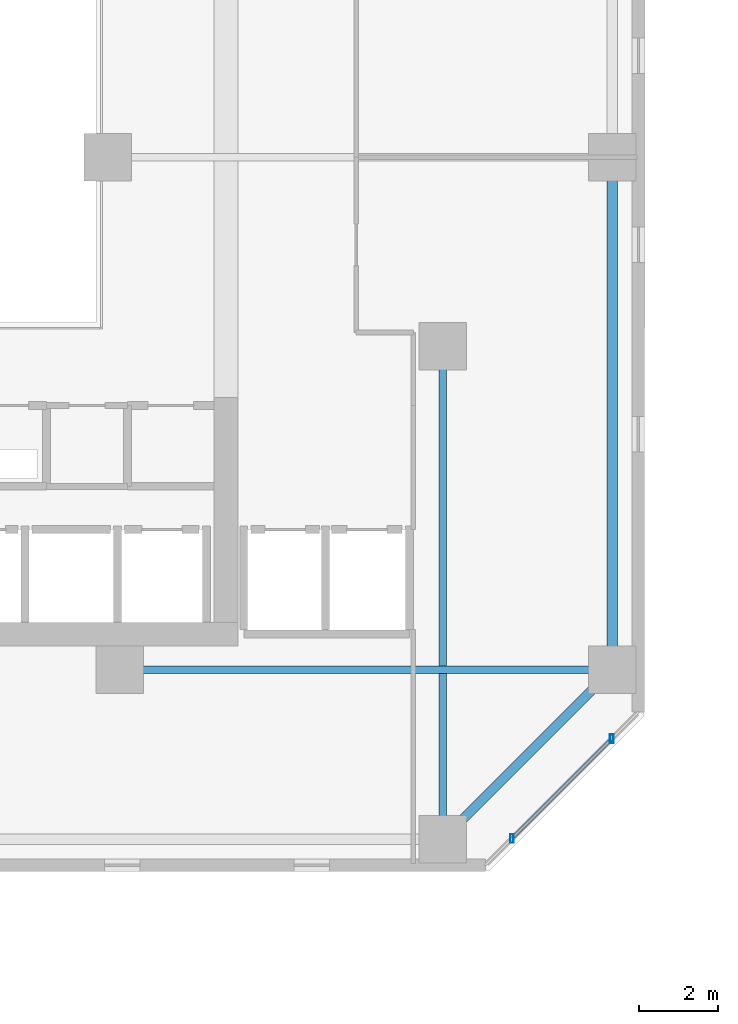
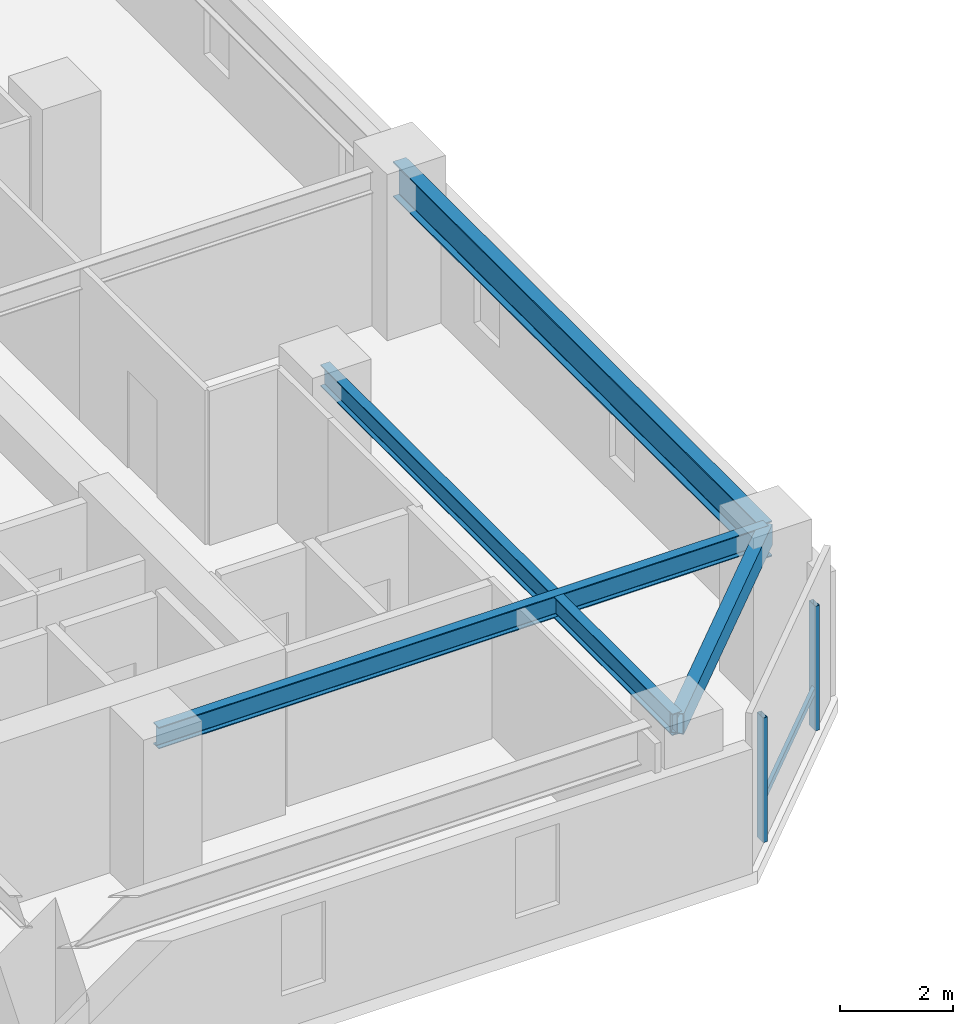
# One storey, part 5 of 33: 4 beams, 3 members, 1 element without a shape of its own.
"""IFC4 building model written with IfcOpenShell, lengths in metres."""

from ifc_helpers import new_model, si_unit, direction, frame, origin, origin_2d, place, context, subcontext, project, spatial, hollow_rectangle, i_section, extrude, material, material_profile, profile_set, type_object, element, aggregate, save


model = new_model("IFC4")

# Units and contexts
model_context = context("Model", 3, precision=1e-05, world=origin(), true_north=direction((0.0, 1.0)))
body_context = subcontext(model_context, "Body", "Model", "MODEL_VIEW")
ifc_project = project(units=[si_unit("LENGTHUNIT", "METRE"), si_unit("AREAUNIT", "SQUARE_METRE"), si_unit("VOLUMEUNIT", "CUBIC_METRE"), si_unit("PLANEANGLEUNIT", "RADIAN"), si_unit("MASSUNIT", "GRAM", prefix="KILO")], contexts=[model_context])

# Site, building, storey
site_placement = place(None, origin())
site = spatial("IfcSite", under=ifc_project, at=site_placement, CompositionType="ELEMENT")
building_placement = place(site_placement, origin())
building = spatial("IfcBuilding", under=site, at=building_placement, Name="Thornwick Lancets Civic Towers", CompositionType="ELEMENT")
storey_placement = place(building_placement, frame((0.0, 0.0, 101.699951171875)))
storey = spatial("IfcBuildingStorey", under=building, at=storey_placement, Name="L26", CompositionType="ELEMENT", Elevation=101.699951171875)

# Beams
ifc_material_1 = material(Name="Steel S355JR", Category="steel")
ifc_material_profile_1 = material_profile(ifc_material_1, i_section(OverallWidth=0.26806640625, OverallDepth=0.769775390625, WebThickness=0.015625, FlangeThickness=0.025390625, FilletRadius=0.0166015625, at=origin_2d()), Name="UKB 762x267x197")
ifc_profile_set_1 = profile_set([ifc_material_profile_1], Name="Steel S355JR")
beam_type_1 = type_object("IfcBeamType", Name="BM_GIRD_762_197", PredefinedType="BEAM", material=ifc_profile_set_1)
beam_1_placement = place(storey_placement, frame((42.800048828125, 14.0, 2.97509765625), z_axis=(0.0, 1.0, 0.0), x_axis=(-1.0, 0.0, 0.0)))
element("IfcBeam", 1, at=beam_1_placement, inside=storey, type_object=beam_type_1, Name="BM-SPINE-L26-A-3-4", PredefinedType="BEAM", context=body_context, shape_type="SweptSolid", body=[
    extrude(i_section(OverallWidth=0.26806640625, OverallDepth=0.769775390625, WebThickness=0.015625, FlangeThickness=0.025390625, FilletRadius=0.0166015625, at=origin_2d()), origin(), (0.0, 0.0, 1.0), 13.0),
])
ifc_material_profile_2 = material_profile(ifc_material_1, i_section(OverallWidth=0.19287109375, OverallDepth=0.46728515625, WebThickness=0.011474609375, FlangeThickness=0.01953125, FilletRadius=0.01025390625, at=origin_2d()), Name="UKB 457x191x98")
ifc_profile_set_2 = profile_set([ifc_material_profile_2], Name="Steel S355JR")
beam_type_2 = type_object("IfcBeamType", Name="BM_JOIST_457_98", PredefinedType="JOIST", material=ifc_profile_set_2)
for number, where, z_axis, x_axis, name in (
    (2, (38.5, 22.199951171875, 3.12646484375), (0.0, -1.0, 0.0), (1.0, 0.0, 0.0), "BM-RADIN-L26-A03"),
    (3, (30.300048828125, 14.0, 3.12646484375), (1.0, 0.0, 0.0), (0.0, 1.0, 0.0), "BM-RADIN-L26-A04"),
):
    element("IfcBeam", number, at=place(storey_placement, frame(where, z_axis=z_axis, x_axis=x_axis)), inside=storey, type_object=beam_type_2, Name=name, PredefinedType="JOIST", context=body_context, shape_type="SweptSolid", body=[
        extrude(i_section(OverallWidth=0.19287109375, OverallDepth=0.46728515625, WebThickness=0.011474609375, FlangeThickness=0.01953125, FilletRadius=0.01025390625, at=origin_2d()), origin(), (0.0, 0.0, 1.0), 12.5),
    ])
ifc_material_profile_3 = material_profile(ifc_material_1, hollow_rectangle(XDim=0.25, YDim=0.449951171875, WallThickness=0.01611328125, at=origin_2d()), Name="RHS 450x250x16")
ifc_profile_set_3 = profile_set([ifc_material_profile_3], Name="Steel S355JR")
beam_type_3 = type_object("IfcBeamType", Name="BM_RING_RHS450", PredefinedType="BEAM", material=ifc_profile_set_3)
beam_2_placement = place(storey_placement, frame((38.5, 9.699951171875, 3.135009765625), z_axis=(0.707106781187, 0.707106781187, 0.0), x_axis=(-0.707106781187, 0.707106781187, 0.0)))
element("IfcBeam", 4, at=beam_2_placement, inside=storey, type_object=beam_type_3, Name="BM-CHAMF-L26-A-C0", PredefinedType="BEAM", context=body_context, shape_type="SweptSolid", body=[
    extrude(hollow_rectangle(XDim=0.25, YDim=0.449951171875, WallThickness=0.01611328125, at=origin_2d()), origin(), (0.0, 0.0, 1.0), 6.081298828125),
])

# Curtain wall, members
ifc_material_2 = material(Name="Low-zone chamfered-corner unitised glass curtain wall", Category="glass")
curtain_wall_type = type_object("IfcCurtainWallType", Name="CW_SYS_03", PredefinedType="NOTDEFINED", material=ifc_material_2)
curtain_wall_placement = place(storey_placement, origin())
curtain_wall = element("IfcCurtainWall", 5, at=curtain_wall_placement, inside=storey, type_object=curtain_wall_type, Name="L26 Curtain Wall CW-L26-A-E1", PredefinedType="NOTDEFINED")
ifc_material_3 = material(Name="Thermally broken bronze aluminium S355", Category="steel")
ifc_material_profile_4 = material_profile(ifc_material_3, hollow_rectangle(XDim=0.090087890625, YDim=0.219970703125, WallThickness=0.00634765625, at=origin_2d()), Name="RHS 220x90x6.3")
ifc_profile_set_4 = profile_set([ifc_material_profile_4], Name="Thermally broken bronze aluminium S355")
member_type_1 = type_object("IfcMemberType", Name="CW_MUL_220", PredefinedType="MULLION", material=ifc_profile_set_4)
member_1_placement = place(storey_placement, frame((40.252685546875, 9.715087890625, 0.0), z_axis=(0.0, 0.0, 1.0), x_axis=(1.0, 0.0, 0.0)))
member_1 = element("IfcMember", 6, at=member_1_placement, type_object=member_type_1, Name="CW-L26-A-E1 Mullion 0", PredefinedType="MULLION", context=body_context, shape_type="SweptSolid", body=[
    extrude(hollow_rectangle(XDim=0.090087890625, YDim=0.219970703125, WallThickness=0.00634765625, at=origin_2d()), origin(), (0.0, 0.0, 1.0), 2.699951171875),
])
member_2_placement = place(storey_placement, frame((42.784912109375, 12.247314453125, 0.0), z_axis=(0.0, 0.0, 1.0), x_axis=(1.0, 0.0, 0.0)))
member_2 = element("IfcMember", 7, at=member_2_placement, type_object=member_type_1, Name="CW-L26-A-E1 Mullion 1", PredefinedType="MULLION", context=body_context, shape_type="SweptSolid", body=[
    extrude(hollow_rectangle(XDim=0.090087890625, YDim=0.219970703125, WallThickness=0.00634765625, at=origin_2d()), origin(), (0.0, 0.0, 1.0), 2.699951171875),
])
ifc_material_profile_5 = material_profile(ifc_material_3, hollow_rectangle(XDim=0.074951171875, YDim=0.14990234375, WallThickness=0.0048828125, at=origin_2d()), Name="RHS 150x75x5")
ifc_profile_set_5 = profile_set([ifc_material_profile_5], Name="Thermally broken bronze aluminium S355")
member_type_2 = type_object("IfcMemberType", Name="CW_TRN_150", PredefinedType="USERDEFINED", material=ifc_profile_set_5)
member_3_placement = place(storey_placement, frame((40.266845703125, 9.72900390625, 0.85009765625), z_axis=(0.707106781187, 0.707106781187, 0.0), x_axis=(-0.707106781187, 0.707106781187, 0.0)))
member_3 = element("IfcMember", 8, at=member_3_placement, type_object=member_type_2, Name="CW-L26-A-E1 Transom 0", ObjectType="TRANSOM", PredefinedType="USERDEFINED", context=body_context, shape_type="SweptSolid", body=[
    extrude(hollow_rectangle(XDim=0.074951171875, YDim=0.14990234375, WallThickness=0.0048828125, at=origin_2d()), origin(), (0.0, 0.0, 1.0), 3.54150390625),
])
aggregate(curtain_wall, [member_1, member_2, member_3])

save(model, "model.ifc")
